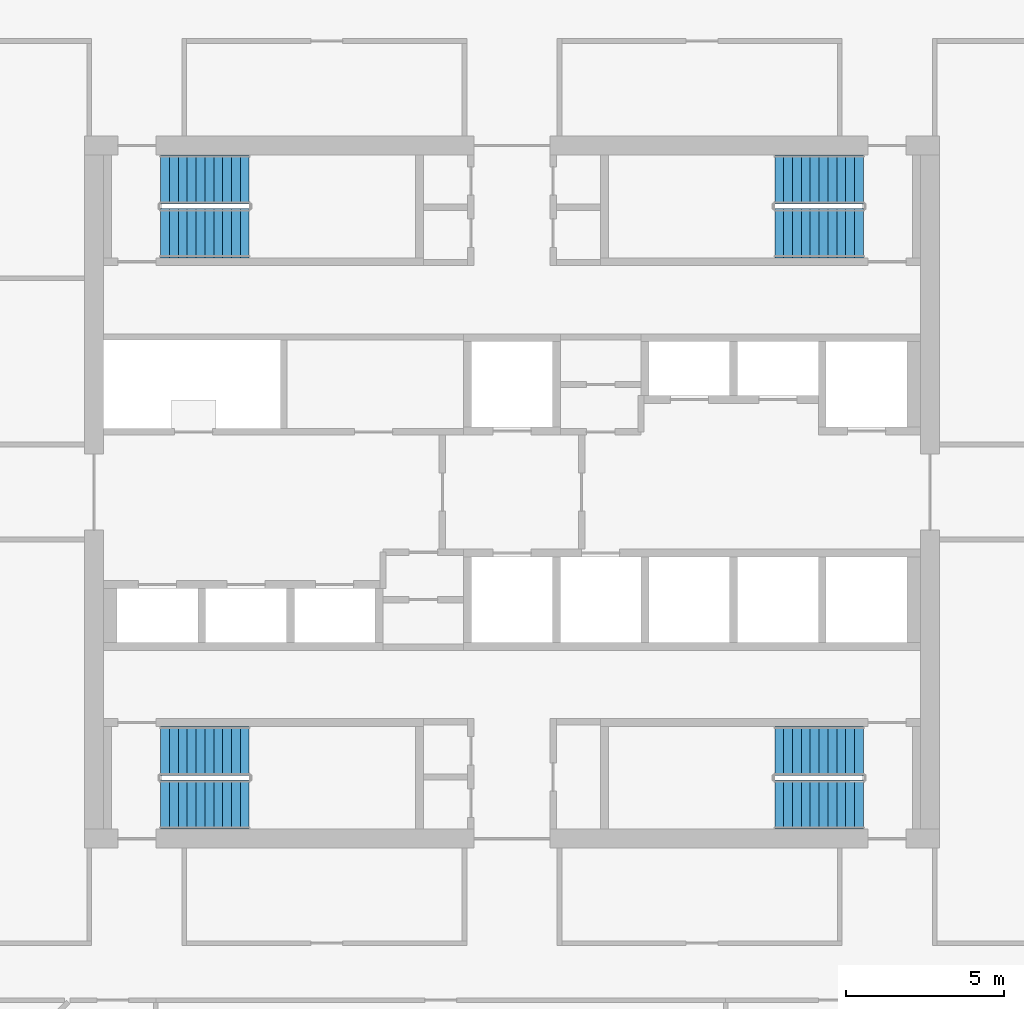
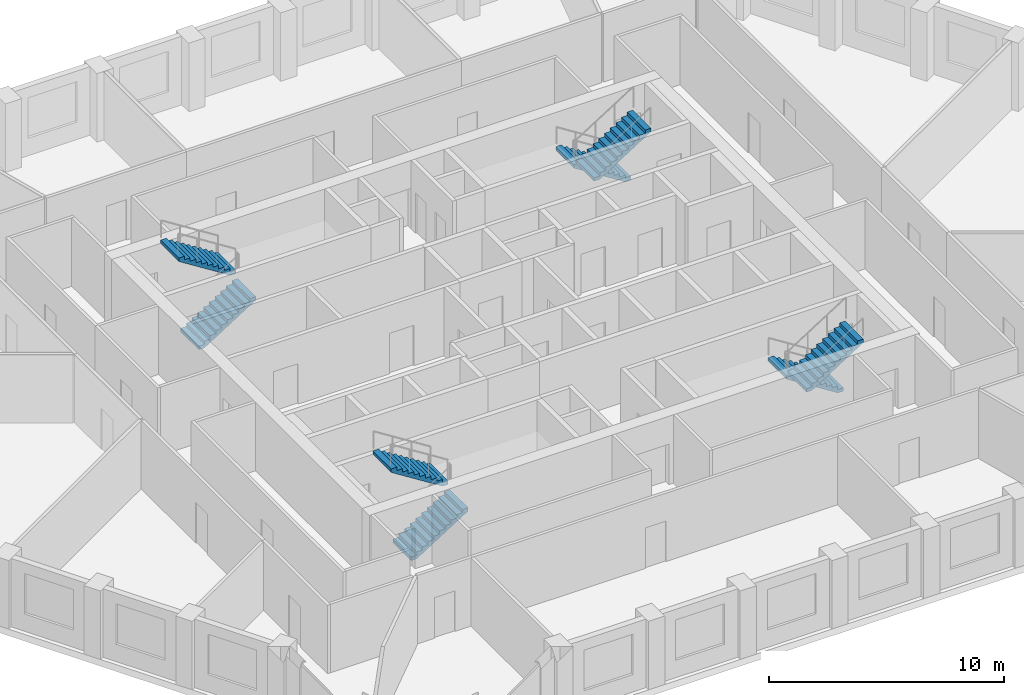
# One storey, part 8 of 13: 8 stair flights, 4 elements without a shape of their own.
"""IFC4 building model written with IfcOpenShell, lengths in metres."""

from ifc_helpers import new_model, si_unit, direction, frame, origin, place, context, subcontext, project, spatial, polyline, outline, extrude, material, type_object, element, aggregate, save


model = new_model("IFC4")

# Units and contexts
model_context = context("Model", 3, precision=1e-05, world=origin(), true_north=direction((0.0, 1.0)))
body_context = subcontext(model_context, "Body", "Model", "MODEL_VIEW")
ifc_project = project(units=[si_unit("LENGTHUNIT", "METRE"), si_unit("AREAUNIT", "SQUARE_METRE"), si_unit("VOLUMEUNIT", "CUBIC_METRE"), si_unit("PLANEANGLEUNIT", "RADIAN"), si_unit("MASSUNIT", "GRAM", prefix="KILO")], contexts=[model_context])

# Site, building, storey
site_placement = place(None, origin())
site = spatial("IfcSite", under=ifc_project, at=site_placement, CompositionType="ELEMENT")
building_placement = place(site_placement, origin())
building = spatial("IfcBuilding", under=site, at=building_placement, Name="Dhurran Vertical Campus", CompositionType="ELEMENT")
storey_placement = place(building_placement, frame((0.0, 0.0, 191.699951171875)))
storey = spatial("IfcBuildingStorey", under=building, at=storey_placement, Name="L47", CompositionType="ELEMENT", Elevation=191.699951171875)

# Stair, stair flights
ifc_material_1 = material(Name="Concrete C40/50", Category="concrete")
stair_type = type_object("IfcStairType", Name="co-ST-CORE", PredefinedType="HALF_TURN_STAIR", material=ifc_material_1)
stair_1_placement = place(storey_placement, origin())
stair_1 = element("IfcStair", 1, at=stair_1_placement, inside=storey, type_object=stair_type, Name="L47 Protected exit stair ST1", PredefinedType="HALF_TURN_STAIR")
ifc_material_2 = material(Name="Concrete C40/50", Category="concrete")
stair_flight_type = type_object("IfcStairFlightType", Name="co-SFL-RC", PredefinedType="STRAIGHT", material=ifc_material_2)
stair_flight_1_placement = place(storey_placement, frame((-11.10009765625, 8.175048828125, 0.0), z_axis=(0.0, 0.0, 1.0), x_axis=(1.0, 0.0, 0.0)))
stair_flight_1 = element("IfcStairFlight", 2, at=stair_flight_1_placement, type_object=stair_flight_type, Name="ST1 flight 1", NumberOfRisers=11, NumberOfTreads=10, PredefinedType="STRAIGHT", RiserHeight=0.177272727, TreadLength=0.28, context=body_context, shape_type="SweptSolid", body=[
    extrude(outline(polyline([(0.0, 0.0), (0.0, 0.17724609375), (0.280029296875, 0.17724609375), (0.280029296875, 0.3544921875), (0.56005859375, 0.3544921875), (0.56005859375, 0.53173828125), (0.840087890625, 0.53173828125), (0.840087890625, 0.708984375), (1.1201171875, 0.708984375), (1.1201171875, 0.886474609375), (1.39990234375, 0.886474609375), (1.39990234375, 1.063720703125), (1.679931640625, 1.063720703125), (1.679931640625, 1.240966796875), (1.9599609375, 1.240966796875), (1.9599609375, 1.418212890625), (2.239990234375, 1.418212890625), (2.239990234375, 1.595458984375), (2.52001953125, 1.595458984375), (2.52001953125, 1.772705078125), (2.800048828125, 1.772705078125), (2.800048828125, 1.949951171875), (2.800048828125, 1.59521484375), (0.2802734375, 0.0), (0.0, 0.0)])), frame((0.0, 0.77490234375, 0.0), z_axis=(0.0, -1.0, 0.0), x_axis=(1.0, 0.0, 0.0)), (0.0, 0.0, 1.0), 1.550048828125),
])
stair_flight_2_placement = place(storey_placement, frame((-8.300048828125, 9.875, 1.949951171875), z_axis=(0.0, 0.0, 1.0), x_axis=(-1.0, 0.0, 0.0)))
stair_flight_2 = element("IfcStairFlight", 3, at=stair_flight_2_placement, type_object=stair_flight_type, Name="ST1 flight 2", NumberOfRisers=11, NumberOfTreads=10, PredefinedType="STRAIGHT", RiserHeight=0.177272727, TreadLength=0.28, context=body_context, shape_type="SweptSolid", body=[
    extrude(outline(polyline([(0.0, 0.0), (0.0, 0.17724609375), (0.280029296875, 0.17724609375), (0.280029296875, 0.3544921875), (0.56005859375, 0.3544921875), (0.56005859375, 0.53173828125), (0.840087890625, 0.53173828125), (0.840087890625, 0.708984375), (1.1201171875, 0.708984375), (1.1201171875, 0.886474609375), (1.39990234375, 0.886474609375), (1.39990234375, 1.063720703125), (1.679931640625, 1.063720703125), (1.679931640625, 1.240966796875), (1.9599609375, 1.240966796875), (1.9599609375, 1.418212890625), (2.239990234375, 1.418212890625), (2.239990234375, 1.595458984375), (2.52001953125, 1.595458984375), (2.52001953125, 1.772705078125), (2.800048828125, 1.772705078125), (2.800048828125, 1.949951171875), (2.800048828125, 1.59521484375), (0.2802734375, 0.0), (0.0, 0.0)])), frame((0.0, 0.77490234375, 0.0), z_axis=(0.0, -1.0, 0.0), x_axis=(1.0, 0.0, 0.0)), (0.0, 0.0, 1.0), 1.550048828125),
])
aggregate(stair_1, [stair_flight_1, stair_flight_2])

stair_2_placement = place(storey_placement, origin())
stair_2 = element("IfcStair", 4, at=stair_2_placement, inside=storey, type_object=stair_type, Name="L47 Protected exit stair ST2", PredefinedType="HALF_TURN_STAIR")
stair_flight_3_placement = place(storey_placement, frame((11.10009765625, 9.875, 0.0), z_axis=(0.0, 0.0, 1.0), x_axis=(-1.0, 0.0, 0.0)))
stair_flight_3 = element("IfcStairFlight", 5, at=stair_flight_3_placement, type_object=stair_flight_type, Name="ST2 flight 1", NumberOfRisers=11, NumberOfTreads=10, PredefinedType="STRAIGHT", RiserHeight=0.177272727, TreadLength=0.28, context=body_context, shape_type="SweptSolid", body=[
    extrude(outline(polyline([(0.0, 0.0), (0.0, 0.17724609375), (0.280029296875, 0.17724609375), (0.280029296875, 0.3544921875), (0.56005859375, 0.3544921875), (0.56005859375, 0.53173828125), (0.840087890625, 0.53173828125), (0.840087890625, 0.708984375), (1.1201171875, 0.708984375), (1.1201171875, 0.886474609375), (1.39990234375, 0.886474609375), (1.39990234375, 1.063720703125), (1.679931640625, 1.063720703125), (1.679931640625, 1.240966796875), (1.9599609375, 1.240966796875), (1.9599609375, 1.418212890625), (2.239990234375, 1.418212890625), (2.239990234375, 1.595458984375), (2.52001953125, 1.595458984375), (2.52001953125, 1.772705078125), (2.800048828125, 1.772705078125), (2.800048828125, 1.949951171875), (2.800048828125, 1.59521484375), (0.2802734375, 0.0), (0.0, 0.0)])), frame((0.0, 0.77490234375, 0.0), z_axis=(0.0, -1.0, 0.0), x_axis=(1.0, 0.0, 0.0)), (0.0, 0.0, 1.0), 1.550048828125),
])
stair_flight_4_placement = place(storey_placement, frame((8.300048828125, 8.175048828125, 1.949951171875), z_axis=(0.0, 0.0, 1.0), x_axis=(1.0, 0.0, 0.0)))
stair_flight_4 = element("IfcStairFlight", 6, at=stair_flight_4_placement, type_object=stair_flight_type, Name="ST2 flight 2", NumberOfRisers=11, NumberOfTreads=10, PredefinedType="STRAIGHT", RiserHeight=0.177272727, TreadLength=0.28, context=body_context, shape_type="SweptSolid", body=[
    extrude(outline(polyline([(0.0, 0.0), (0.0, 0.17724609375), (0.280029296875, 0.17724609375), (0.280029296875, 0.3544921875), (0.56005859375, 0.3544921875), (0.56005859375, 0.53173828125), (0.840087890625, 0.53173828125), (0.840087890625, 0.708984375), (1.1201171875, 0.708984375), (1.1201171875, 0.886474609375), (1.39990234375, 0.886474609375), (1.39990234375, 1.063720703125), (1.679931640625, 1.063720703125), (1.679931640625, 1.240966796875), (1.9599609375, 1.240966796875), (1.9599609375, 1.418212890625), (2.239990234375, 1.418212890625), (2.239990234375, 1.595458984375), (2.52001953125, 1.595458984375), (2.52001953125, 1.772705078125), (2.800048828125, 1.772705078125), (2.800048828125, 1.949951171875), (2.800048828125, 1.59521484375), (0.2802734375, 0.0), (0.0, 0.0)])), frame((0.0, 0.77490234375, 0.0), z_axis=(0.0, -1.0, 0.0), x_axis=(1.0, 0.0, 0.0)), (0.0, 0.0, 1.0), 1.550048828125),
])
aggregate(stair_2, [stair_flight_3, stair_flight_4])

stair_3_placement = place(storey_placement, origin())
stair_3 = element("IfcStair", 7, at=stair_3_placement, inside=storey, type_object=stair_type, Name="L47 Protected exit stair ST3", PredefinedType="HALF_TURN_STAIR")
stair_flight_5_placement = place(storey_placement, frame((-11.10009765625, -9.875, 0.0), z_axis=(0.0, 0.0, 1.0), x_axis=(1.0, 0.0, 0.0)))
stair_flight_5 = element("IfcStairFlight", 8, at=stair_flight_5_placement, type_object=stair_flight_type, Name="ST3 flight 1", NumberOfRisers=11, NumberOfTreads=10, PredefinedType="STRAIGHT", RiserHeight=0.177272727, TreadLength=0.28, context=body_context, shape_type="SweptSolid", body=[
    extrude(outline(polyline([(0.0, 0.0), (0.0, 0.17724609375), (0.280029296875, 0.17724609375), (0.280029296875, 0.3544921875), (0.56005859375, 0.3544921875), (0.56005859375, 0.53173828125), (0.840087890625, 0.53173828125), (0.840087890625, 0.708984375), (1.1201171875, 0.708984375), (1.1201171875, 0.886474609375), (1.39990234375, 0.886474609375), (1.39990234375, 1.063720703125), (1.679931640625, 1.063720703125), (1.679931640625, 1.240966796875), (1.9599609375, 1.240966796875), (1.9599609375, 1.418212890625), (2.239990234375, 1.418212890625), (2.239990234375, 1.595458984375), (2.52001953125, 1.595458984375), (2.52001953125, 1.772705078125), (2.800048828125, 1.772705078125), (2.800048828125, 1.949951171875), (2.800048828125, 1.59521484375), (0.2802734375, 0.0), (0.0, 0.0)])), frame((0.0, 0.77490234375, 0.0), z_axis=(0.0, -1.0, 0.0), x_axis=(1.0, 0.0, 0.0)), (0.0, 0.0, 1.0), 1.550048828125),
])
stair_flight_6_placement = place(storey_placement, frame((-8.300048828125, -8.175048828125, 1.949951171875), z_axis=(0.0, 0.0, 1.0), x_axis=(-1.0, 0.0, 0.0)))
stair_flight_6 = element("IfcStairFlight", 9, at=stair_flight_6_placement, type_object=stair_flight_type, Name="ST3 flight 2", NumberOfRisers=11, NumberOfTreads=10, PredefinedType="STRAIGHT", RiserHeight=0.177272727, TreadLength=0.28, context=body_context, shape_type="SweptSolid", body=[
    extrude(outline(polyline([(0.0, 0.0), (0.0, 0.17724609375), (0.280029296875, 0.17724609375), (0.280029296875, 0.3544921875), (0.56005859375, 0.3544921875), (0.56005859375, 0.53173828125), (0.840087890625, 0.53173828125), (0.840087890625, 0.708984375), (1.1201171875, 0.708984375), (1.1201171875, 0.886474609375), (1.39990234375, 0.886474609375), (1.39990234375, 1.063720703125), (1.679931640625, 1.063720703125), (1.679931640625, 1.240966796875), (1.9599609375, 1.240966796875), (1.9599609375, 1.418212890625), (2.239990234375, 1.418212890625), (2.239990234375, 1.595458984375), (2.52001953125, 1.595458984375), (2.52001953125, 1.772705078125), (2.800048828125, 1.772705078125), (2.800048828125, 1.949951171875), (2.800048828125, 1.59521484375), (0.2802734375, 0.0), (0.0, 0.0)])), frame((0.0, 0.77490234375, 0.0), z_axis=(0.0, -1.0, 0.0), x_axis=(1.0, 0.0, 0.0)), (0.0, 0.0, 1.0), 1.550048828125),
])
aggregate(stair_3, [stair_flight_5, stair_flight_6])

stair_4_placement = place(storey_placement, origin())
stair_4 = element("IfcStair", 10, at=stair_4_placement, inside=storey, type_object=stair_type, Name="L47 Protected exit stair ST4", PredefinedType="HALF_TURN_STAIR")
stair_flight_7_placement = place(storey_placement, frame((11.10009765625, -8.175048828125, 0.0), z_axis=(0.0, 0.0, 1.0), x_axis=(-1.0, 0.0, 0.0)))
stair_flight_7 = element("IfcStairFlight", 11, at=stair_flight_7_placement, type_object=stair_flight_type, Name="ST4 flight 1", NumberOfRisers=11, NumberOfTreads=10, PredefinedType="STRAIGHT", RiserHeight=0.177272727, TreadLength=0.28, context=body_context, shape_type="SweptSolid", body=[
    extrude(outline(polyline([(0.0, 0.0), (0.0, 0.17724609375), (0.280029296875, 0.17724609375), (0.280029296875, 0.3544921875), (0.56005859375, 0.3544921875), (0.56005859375, 0.53173828125), (0.840087890625, 0.53173828125), (0.840087890625, 0.708984375), (1.1201171875, 0.708984375), (1.1201171875, 0.886474609375), (1.39990234375, 0.886474609375), (1.39990234375, 1.063720703125), (1.679931640625, 1.063720703125), (1.679931640625, 1.240966796875), (1.9599609375, 1.240966796875), (1.9599609375, 1.418212890625), (2.239990234375, 1.418212890625), (2.239990234375, 1.595458984375), (2.52001953125, 1.595458984375), (2.52001953125, 1.772705078125), (2.800048828125, 1.772705078125), (2.800048828125, 1.949951171875), (2.800048828125, 1.59521484375), (0.2802734375, 0.0), (0.0, 0.0)])), frame((0.0, 0.77490234375, 0.0), z_axis=(0.0, -1.0, 0.0), x_axis=(1.0, 0.0, 0.0)), (0.0, 0.0, 1.0), 1.550048828125),
])
stair_flight_8_placement = place(storey_placement, frame((8.300048828125, -9.875, 1.949951171875), z_axis=(0.0, 0.0, 1.0), x_axis=(1.0, 0.0, 0.0)))
stair_flight_8 = element("IfcStairFlight", 12, at=stair_flight_8_placement, type_object=stair_flight_type, Name="ST4 flight 2", NumberOfRisers=11, NumberOfTreads=10, PredefinedType="STRAIGHT", RiserHeight=0.177272727, TreadLength=0.28, context=body_context, shape_type="SweptSolid", body=[
    extrude(outline(polyline([(0.0, 0.0), (0.0, 0.17724609375), (0.280029296875, 0.17724609375), (0.280029296875, 0.3544921875), (0.56005859375, 0.3544921875), (0.56005859375, 0.53173828125), (0.840087890625, 0.53173828125), (0.840087890625, 0.708984375), (1.1201171875, 0.708984375), (1.1201171875, 0.886474609375), (1.39990234375, 0.886474609375), (1.39990234375, 1.063720703125), (1.679931640625, 1.063720703125), (1.679931640625, 1.240966796875), (1.9599609375, 1.240966796875), (1.9599609375, 1.418212890625), (2.239990234375, 1.418212890625), (2.239990234375, 1.595458984375), (2.52001953125, 1.595458984375), (2.52001953125, 1.772705078125), (2.800048828125, 1.772705078125), (2.800048828125, 1.949951171875), (2.800048828125, 1.59521484375), (0.2802734375, 0.0), (0.0, 0.0)])), frame((0.0, 0.77490234375, 0.0), z_axis=(0.0, -1.0, 0.0), x_axis=(1.0, 0.0, 0.0)), (0.0, 0.0, 1.0), 1.550048828125),
])
aggregate(stair_4, [stair_flight_7, stair_flight_8])

save(model, "model.ifc")
